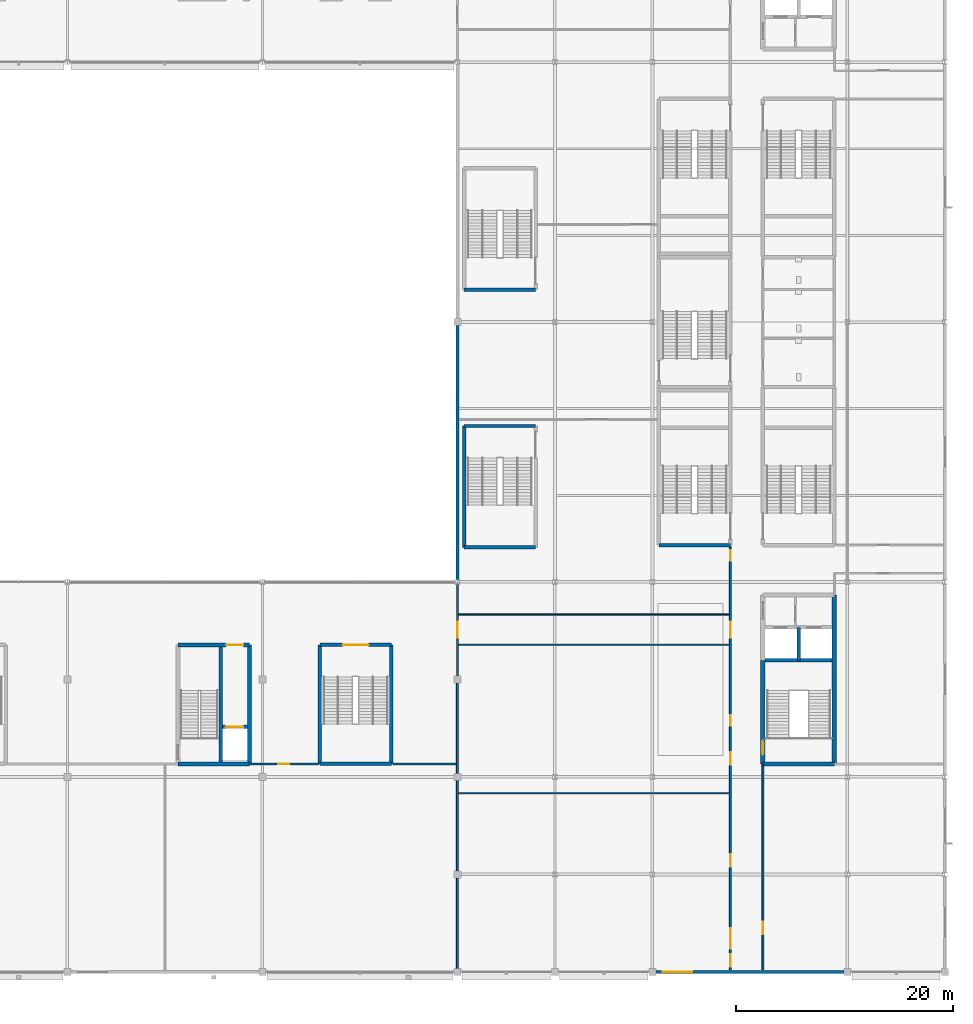
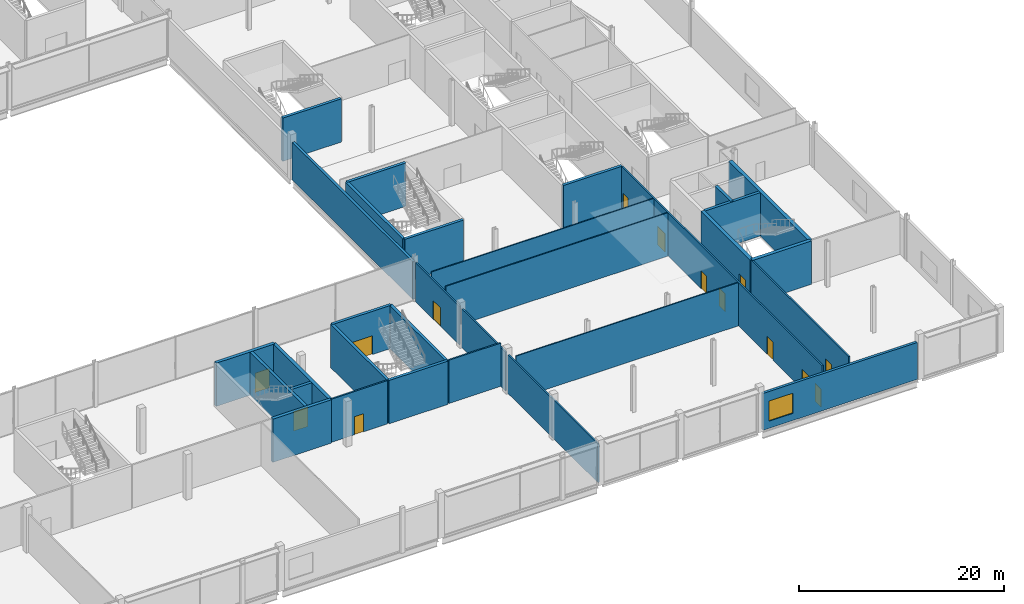
# One storey, part 64 of 111: 31 walls, 14 doors, 1 window, 15 openings.
"""IFC4 building model written with IfcOpenShell, lengths in metres."""

from ifc_helpers import new_model, si_unit, direction, frame, frame_2d, origin, place, context, subcontext, project, spatial, rectangle, extrude, material, layer, layer_set, type_object, element, fill, save


model = new_model("IFC4")

# Units and contexts
model_context = context("Model", 3, precision=1e-05, world=origin(), true_north=direction((0.0, 1.0)))
body_context = subcontext(model_context, "Body", "Model", "MODEL_VIEW")
ifc_project = project(units=[si_unit("LENGTHUNIT", "METRE"), si_unit("AREAUNIT", "SQUARE_METRE"), si_unit("VOLUMEUNIT", "CUBIC_METRE"), si_unit("PLANEANGLEUNIT", "RADIAN"), si_unit("MASSUNIT", "GRAM", prefix="KILO")], contexts=[model_context])

# Site, building, storey
site_placement = place(None, origin())
site = spatial("IfcSite", under=ifc_project, at=site_placement, CompositionType="ELEMENT")
building_placement = place(site_placement, origin())
building = spatial("IfcBuilding", under=site, at=building_placement, Name="Kisiwana Market Hall", CompositionType="ELEMENT")
storey_placement = place(building_placement, frame((0.0, 0.0, 11.39990234375)))
storey = spatial("IfcBuildingStorey", under=building, at=storey_placement, Name="L02", CompositionType="ELEMENT", Elevation=11.39990234375)

# Walls
ifc_material_1 = material(Name="Concrete C40/50", Category="concrete")
ifc_layer_1 = layer(ifc_material_1, 0.320068359375, Name="Reinforced concrete shaft wall")
ifc_layer_set_1 = layer_set([ifc_layer_1], Name="WL-CORE-320")
wall_type_1 = type_object("IfcWallType", Name="WL-CORE-320", PredefinedType="SHEAR", material=ifc_layer_set_1)
wall_1_placement = place(storey_placement, frame((181.39990234375, 28.760009765625, 0.0), z_axis=(0.0, 0.0, 1.0), x_axis=(1.0, 0.0, 0.0)))
element("IfcWall", 1, at=wall_1_placement, inside=storey, type_object=wall_type_1, Name="Core E2 shaft back shear wall W-0941", PredefinedType="SHEAR", context=body_context, shape_type="SweptSolid", body=[
    extrude(rectangle(XDim=6.2001953125, YDim=0.320068359375, at=frame_2d((3.10009765625, 0.0))), origin(), (0.0, 0.0, 1.0), 5.150146484375),
])
wall_2_placement = place(storey_placement, frame((184.5, 28.760009765625, 0.0), z_axis=(0.0, 0.0, 1.0), x_axis=(0.0, 1.0, 0.0)))
element("IfcWall", 2, at=wall_2_placement, inside=storey, type_object=wall_type_1, Name="Core E2 inter-shaft shear wall W-0942", PredefinedType="SHEAR", context=body_context, shape_type="SweptSolid", body=[
    extrude(rectangle(XDim=3.06005859375, YDim=0.320068359375, at=frame_2d((1.530029296875, 0.0))), origin(), (0.0, 0.0, 1.0), 5.150146484375),
])
wall_3_placement = place(storey_placement, frame((131.139892578125, 19.3798828125, 0.0), z_axis=(0.0, 0.0, 1.0), x_axis=(0.0, 1.0, 0.0)))
element("IfcWall", 3, at=wall_3_placement, inside=storey, type_object=wall_type_1, Name="Core S2 shaft divider W-0963", PredefinedType="SHEAR", context=body_context, shape_type="SweptSolid", body=[
    extrude(rectangle(XDim=10.64013671875, YDim=0.320068359375, at=frame_2d((5.320068359375, 0.0))), origin(), (0.0, 0.0, 1.0), 5.150146484375),
])

# Wall, opening, door
wall_4_placement = place(storey_placement, frame((131.300048828125, 22.6298828125, 0.0), z_axis=(0.0, 0.0, 1.0), x_axis=(1.0, 0.0, 0.0)))
wall_4 = element("IfcWall", 4, at=wall_4_placement, inside=storey, type_object=wall_type_1, Name="Core S2 goods lift front wall W-0964", PredefinedType="SHEAR", context=body_context, shape_type="SweptSolid", body=[
    extrude(rectangle(XDim=2.320068359375, YDim=0.320068359375, at=frame_2d((1.16015625, 0.0))), origin(), (0.0, 0.0, 1.0), 5.150146484375),
])
opening_1_placement = place(wall_4_placement, frame((0.300048828125, 0.0, 0.0)))
opening_1 = element("IfcOpeningElement", 5, at=opening_1_placement, cuts=wall_4, Name="Opening LD-L02-009", PredefinedType="OPENING", context=body_context, shape_type="SweptSolid", body=[
    extrude(rectangle(XDim=1.64990234375, YDim=2.35009765625, at=frame_2d((0.824951171875, 1.175048828125))), frame((0.0, 0.171875, 0.0), z_axis=(0.0, -1.0, 0.0), x_axis=(1.0, 0.0, 0.0)), (0.0, 0.0, 1.0), 0.343994140625),
])
ifc_material_2 = material(Name="Steel S275", Category="steel")
door_type_1 = type_object("IfcDoorType", Name="DR-LIFT-GDS-1650", OperationType="DOUBLE_DOOR_SLIDING", PredefinedType="DOOR", material=ifc_material_2)
door_1_placement = place(opening_1_placement, origin())
door_1 = element("IfcDoor", 6, at=door_1_placement, inside=storey, type_object=door_type_1, Name="Lift Landing Door LG-01 (L02)", OperationType="DOUBLE_DOOR_SLIDING", OverallHeight=2.35009765625, OverallWidth=1.64990234375, PredefinedType="DOOR", context=body_context, shape_type="SweptSolid", body=[
    extrude(rectangle(XDim=1.64990234375, YDim=2.35009765625, at=frame_2d((0.824951171875, 1.175048828125))), frame((0.0, 0.02490234375, 0.0), z_axis=(0.0, -1.0, 0.0), x_axis=(1.0, 0.0, 0.0)), (0.0, 0.0, 1.0), 0.050048828125),
])
fill(opening_1, door_1)

# Walls
wall_5_placement = place(storey_placement, frame((171.60009765625, 39.39990234375, 0.0), z_axis=(0.0, 0.0, 1.0), x_axis=(1.0, 0.0, 0.0)))
element("IfcWall", 7, at=wall_5_placement, inside=storey, type_object=wall_type_1, Name="Core E7 south shear wall W-1001", PredefinedType="SHEAR", context=body_context, shape_type="SweptSolid", body=[
    extrude(rectangle(XDim=6.599853515625, YDim=0.320068359375, at=frame_2d((3.2998046875, 0.0))), origin(), (0.0, 0.0, 1.0), 5.150146484375),
])
for number, where, z_axis, x_axis, name in (
    (8, (153.6298828125, 39.199951171875, 0.0), (0.0, 0.0, 1.0), (1.0, 0.0, 0.0), "Core E9 south shear wall W-1020"),
    (9, (153.6298828125, 50.39990234375, 0.0), (0.0, 0.0, 1.0), (1.0, 0.0, 0.0), "Core E9 north shear wall W-1021"),
):
    element("IfcWall", number, at=place(storey_placement, frame(where, z_axis=z_axis, x_axis=x_axis)), inside=storey, type_object=wall_type_1, Name=name, PredefinedType="SHEAR", context=body_context, shape_type="SweptSolid", body=[
        extrude(rectangle(XDim=6.60009765625, YDim=0.320068359375, at=frame_2d((3.300048828125, 0.0))), origin(), (0.0, 0.0, 1.0), 5.150146484375),
    ])
wall_6_placement = place(storey_placement, frame((153.6298828125, 39.199951171875, 0.0), z_axis=(0.0, 0.0, 1.0), x_axis=(0.0, 1.0, 0.0)))
element("IfcWall", 10, at=wall_6_placement, inside=storey, type_object=wall_type_1, Name="Core E9 outer shear wall W-1022", PredefinedType="SHEAR", context=body_context, shape_type="SweptSolid", body=[
    extrude(rectangle(XDim=11.199951171875, YDim=0.320068359375, at=frame_2d((5.60009765625, 0.0))), origin(), (0.0, 0.0, 1.0), 5.150146484375),
])
wall_7_placement = place(storey_placement, frame((153.6298828125, 63.0, 0.0), z_axis=(0.0, 0.0, 1.0), x_axis=(1.0, 0.0, 0.0)))
element("IfcWall", 11, at=wall_7_placement, inside=storey, type_object=wall_type_1, Name="Core E10 south shear wall W-1028", PredefinedType="SHEAR", context=body_context, shape_type="SweptSolid", body=[
    extrude(rectangle(XDim=6.60009765625, YDim=0.320068359375, at=frame_2d((3.300048828125, 0.0))), origin(), (0.0, 0.0, 1.0), 5.150146484375),
])
wall_8_placement = place(storey_placement, frame((140.300048828125, 19.199951171875, 0.0), z_axis=(0.0, 0.0, 1.0), x_axis=(1.0, 0.0, 0.0)))
element("IfcWall", 12, at=wall_8_placement, inside=storey, type_object=wall_type_1, Name="Core S6 outer shear wall W-1064", PredefinedType="SHEAR", context=body_context, shape_type="SweptSolid", body=[
    extrude(rectangle(XDim=6.599853515625, YDim=0.320068359375, at=frame_2d((3.2998046875, 0.0))), origin(), (0.0, 0.0, 1.0), 5.150146484375),
])

# Wall, opening, door
wall_9_placement = place(storey_placement, frame((140.300048828125, 30.199951171875, 0.0), z_axis=(0.0, 0.0, 1.0), x_axis=(1.0, 0.0, 0.0)))
wall_9 = element("IfcWall", 13, at=wall_9_placement, inside=storey, type_object=wall_type_1, Name="Core S6 corridor shear wall W-1065", PredefinedType="SHEAR", context=body_context, shape_type="SweptSolid", body=[
    extrude(rectangle(XDim=6.599853515625, YDim=0.320068359375, at=frame_2d((3.2998046875, 0.0))), origin(), (0.0, 0.0, 1.0), 5.150146484375),
])
opening_2_placement = place(wall_9_placement, frame((2.10009765625, 0.0, 0.0)))
opening_2 = element("IfcOpeningElement", 14, at=opening_2_placement, cuts=wall_9, Name="Opening DR-L02-041", PredefinedType="OPENING", context=body_context, shape_type="SweptSolid", body=[
    extrude(rectangle(XDim=2.39990234375, YDim=2.25, at=frame_2d((1.199951171875, 1.125))), frame((0.0, 0.171875, 0.0), z_axis=(0.0, -1.0, 0.0), x_axis=(1.0, 0.0, 0.0)), (0.0, 0.0, 1.0), 0.343994140625),
])
ifc_material_3 = material(Name="Steel S275", Category="steel")
door_type_2 = type_object("IfcDoorType", Name="DR-STAIR-FD120-2400", OperationType="DOUBLE_DOOR_SINGLE_SWING", PredefinedType="DOOR", material=ifc_material_3)
door_2_placement = place(opening_2_placement, frame((2.39990234375, 0.0, 0.0), z_axis=(0.0, 0.0, 1.0), x_axis=(-1.0, 0.0, 0.0)))
door_2 = element("IfcDoor", 15, at=door_2_placement, inside=storey, type_object=door_type_2, Name="Escape Stair S6 Fire Door (L02)", OperationType="DOUBLE_DOOR_SINGLE_SWING", OverallHeight=2.25, OverallWidth=2.39990234375, PredefinedType="DOOR", context=body_context, shape_type="SweptSolid", body=[
    extrude(rectangle(XDim=2.39990234375, YDim=2.25, at=frame_2d((1.199951171875, 1.125))), frame((0.0, 0.02490234375, 0.0), z_axis=(0.0, -1.0, 0.0), x_axis=(1.0, 0.0, 0.0)), (0.0, 0.0, 1.0), 0.050048828125),
])
fill(opening_2, door_2)

# Walls
for number, where, z_axis, x_axis, name in (
    (16, (140.300048828125, 19.199951171875, 0.0), (0.0, 0.0, 1.0), (0.0, 1.0, 0.0), "Core S6 west shear wall W-1066"),
    (17, (146.89990234375, 19.199951171875, 0.0), (0.0, 0.0, 1.0), (0.0, 1.0, 0.0), "Core S6 east shear wall W-1067"),
):
    element("IfcWall", number, at=place(storey_placement, frame(where, z_axis=z_axis, x_axis=x_axis)), inside=storey, type_object=wall_type_1, Name=name, PredefinedType="SHEAR", context=body_context, shape_type="SweptSolid", body=[
        extrude(rectangle(XDim=11.0, YDim=0.320068359375, at=frame_2d((5.5, 0.0))), origin(), (0.0, 0.0, 1.0), 5.150146484375),
    ])
ifc_material_4 = material(Name="Concrete C40/50", Category="concrete")
ifc_layer_2 = layer(ifc_material_4, 0.360107421875, Name="Reinforced concrete core wall")
ifc_layer_set_2 = layer_set([ifc_layer_2], Name="WL-CORE-360")
wall_type_2 = type_object("IfcWallType", Name="WL-CORE-360", PredefinedType="SHEAR", material=ifc_layer_set_2)
wall_10_placement = place(storey_placement, frame((127.199951171875, 19.199951171875, 0.0), z_axis=(0.0, 0.0, 1.0), x_axis=(1.0, 0.0, 0.0)))
element("IfcWall", 18, at=wall_10_placement, inside=storey, type_object=wall_type_2, Name="Core S2 south wall W-0959", PredefinedType="SHEAR", context=body_context, shape_type="SweptSolid", body=[
    extrude(rectangle(XDim=6.60009765625, YDim=0.360107421875, at=frame_2d((3.300048828125, 0.0))), origin(), (0.0, 0.0, 1.0), 5.150146484375),
])

# Wall, opening, door
wall_11_placement = place(storey_placement, frame((127.199951171875, 30.199951171875, 0.0), z_axis=(0.0, 0.0, 1.0), x_axis=(1.0, 0.0, 0.0)))
wall_11 = element("IfcWall", 19, at=wall_11_placement, inside=storey, type_object=wall_type_2, Name="Core S2 north wall W-0960", PredefinedType="SHEAR", context=body_context, shape_type="SweptSolid", body=[
    extrude(rectangle(XDim=6.60009765625, YDim=0.360107421875, at=frame_2d((3.300048828125, 0.0))), origin(), (0.0, 0.0, 1.0), 5.150146484375),
])
opening_3_placement = place(wall_11_placement, frame((4.449951171875, 0.0, 0.0)))
opening_3 = element("IfcOpeningElement", 20, at=opening_3_placement, cuts=wall_11, Name="Opening DR-L02-015", PredefinedType="OPENING", context=body_context, shape_type="SweptSolid", body=[
    extrude(rectangle(XDim=1.60009765625, YDim=2.300048828125, at=frame_2d((0.800048828125, 1.14990234375))), frame((0.0, 0.19189453125, 0.0), z_axis=(0.0, -1.0, 0.0), x_axis=(1.0, 0.0, 0.0)), (0.0, 0.0, 1.0), 0.384033203125),
])
ifc_material_5 = material(Name="Steel S275", Category="steel")
door_type_3 = type_object("IfcDoorType", Name="DR-PLANT-FD120-1600", OperationType="DOUBLE_DOOR_SINGLE_SWING", PredefinedType="DOOR", material=ifc_material_5)
door_3_placement = place(opening_3_placement, origin())
door_3 = element("IfcDoor", 21, at=door_3_placement, inside=storey, type_object=door_type_3, Name="Goods Lift Lobby S2 Door (L02)", OperationType="DOUBLE_DOOR_SINGLE_SWING", OverallHeight=2.300048828125, OverallWidth=1.60009765625, PredefinedType="DOOR", context=body_context, shape_type="SweptSolid", body=[
    extrude(rectangle(XDim=1.60009765625, YDim=2.300048828125, at=frame_2d((0.800048828125, 1.14990234375))), frame((0.0, 0.02490234375, 0.0), z_axis=(0.0, -1.0, 0.0), x_axis=(1.0, 0.0, 0.0)), (0.0, 0.0, 1.0), 0.050048828125),
])
fill(opening_3, door_3)

# Walls
wall_12_placement = place(storey_placement, frame((133.800048828125, 19.199951171875, 0.0), z_axis=(0.0, 0.0, 1.0), x_axis=(0.0, 1.0, 0.0)))
element("IfcWall", 22, at=wall_12_placement, inside=storey, type_object=wall_type_2, Name="Core S2 east wall W-0962", PredefinedType="SHEAR", context=body_context, shape_type="SweptSolid", body=[
    extrude(rectangle(XDim=11.0, YDim=0.360107421875, at=frame_2d((5.5, 0.0))), origin(), (0.0, 0.0, 1.0), 5.150146484375),
])
ifc_material_6 = material(Name="Concrete C40/50", Category="concrete")
ifc_layer_3 = layer(ifc_material_6, 0.39990234375, Name="Reinforced concrete core wall")
ifc_layer_set_3 = layer_set([ifc_layer_3], Name="WL-CORE-400")
wall_type_3 = type_object("IfcWallType", Name="WL-CORE-400", PredefinedType="SHEAR", material=ifc_layer_set_3)
wall_13_placement = place(storey_placement, frame((181.199951171875, 19.199951171875, 0.0), z_axis=(0.0, 0.0, 1.0), x_axis=(1.0, 0.0, 0.0)))
element("IfcWall", 23, at=wall_13_placement, inside=storey, type_object=wall_type_3, Name="Core E2 south shear wall W-0936", PredefinedType="SHEAR", context=body_context, shape_type="SweptSolid", body=[
    extrude(rectangle(XDim=6.60009765625, YDim=0.39990234375, at=frame_2d((3.300048828125, 0.0))), origin(), (0.0, 0.0, 1.0), 5.150146484375),
])
wall_14_placement = place(storey_placement, frame((187.800048828125, 19.199951171875, 0.0), z_axis=(0.0, 0.0, 1.0), x_axis=(0.0, 1.0, 0.0)))
element("IfcWall", 24, at=wall_14_placement, inside=storey, type_object=wall_type_3, Name="Core E2 outer shear wall W-0938", PredefinedType="SHEAR", context=body_context, shape_type="SweptSolid", body=[
    extrude(rectangle(XDim=15.60009765625, YDim=0.39990234375, at=frame_2d((7.800048828125, 0.0))), origin(), (0.0, 0.0, 1.0), 5.150146484375),
])

# Wall, opening, door
wall_15_placement = place(storey_placement, frame((181.199951171875, 19.199951171875, 0.0), z_axis=(0.0, 0.0, 1.0), x_axis=(0.0, 1.0, 0.0)))
wall_15 = element("IfcWall", 25, at=wall_15_placement, inside=storey, type_object=wall_type_3, Name="Core E2 stair corridor shear wall W-0939", PredefinedType="SHEAR", context=body_context, shape_type="SweptSolid", body=[
    extrude(rectangle(XDim=9.56005859375, YDim=0.39990234375, at=frame_2d((4.780029296875, 0.0))), origin(), (0.0, 0.0, 1.0), 5.150146484375),
])
opening_4_placement = place(wall_15_placement, frame((0.85009765625, 0.0, 0.0)))
opening_4 = element("IfcOpeningElement", 26, at=opening_4_placement, cuts=wall_15, Name="Opening DR-L02-007", PredefinedType="OPENING", context=body_context, shape_type="SweptSolid", body=[
    extrude(rectangle(XDim=1.300048828125, YDim=2.199951171875, at=frame_2d((0.64990234375, 1.10009765625))), frame((0.0, 0.2119140625, 0.0), z_axis=(0.0, -1.0, 0.0), x_axis=(1.0, 0.0, 0.0)), (0.0, 0.0, 1.0), 0.423828125),
])
ifc_material_7 = material(Name="Steel S275", Category="steel")
door_type_4 = type_object("IfcDoorType", Name="DR-STAIR-FD120-1300", OperationType="NOTDEFINED", PredefinedType="DOOR", material=ifc_material_7)
door_4_placement = place(opening_4_placement, frame((1.300048828125, 0.0, 0.0), z_axis=(0.0, 0.0, 1.0), x_axis=(-1.0, 0.0, 0.0)))
door_4 = element("IfcDoor", 27, at=door_4_placement, inside=storey, type_object=door_type_4, Name="Escape Stair E2 Fire Door (L02)", OperationType="SINGLE_SWING_RIGHT", OverallHeight=2.199951171875, OverallWidth=1.300048828125, PredefinedType="DOOR", context=body_context, shape_type="SweptSolid", body=[
    extrude(rectangle(XDim=1.300048828125, YDim=2.199951171875, at=frame_2d((0.64990234375, 1.10009765625))), frame((0.0, 0.02490234375, 0.0), z_axis=(0.0, -1.0, 0.0), x_axis=(1.0, 0.0, 0.0)), (0.0, 0.0, 1.0), 0.050048828125),
])
fill(opening_4, door_4)

ifc_material_8 = material(Name="Masonry blockwork", Category="masonry")
ifc_layer_4 = layer(ifc_material_8, 0.169921875, Name="Protected corridor partition")
ifc_layer_set_4 = layer_set([ifc_layer_4], Name="WL-CORR-170")
wall_type_4 = type_object("IfcWallType", Name="WL-CORR-170", PredefinedType="PARTITIONING", material=ifc_layer_set_4)
wall_16_placement = place(storey_placement, frame((181.199951171875, 0.1826171875, 0.0), z_axis=(0.0, 0.0, 1.0), x_axis=(0.0, 1.0, 0.0)))
wall_16 = element("IfcWall", 28, at=wall_16_placement, inside=storey, type_object=wall_type_4, Name="Interior partition W-1146", PredefinedType="PARTITIONING", context=body_context, shape_type="SweptSolid", body=[
    extrude(rectangle(XDim=19.017333984375, YDim=0.169921875, at=frame_2d((9.5087890625, 0.0))), origin(), (0.0, 0.0, 1.0), 5.150146484375),
])
opening_5_placement = place(wall_16_placement, frame((3.300048828125, 0.0, 0.0)))
opening_5 = element("IfcOpeningElement", 29, at=opening_5_placement, cuts=wall_16, Name="Opening DR-L02-071", PredefinedType="OPENING", context=body_context, shape_type="SweptSolid", body=[
    extrude(rectangle(XDim=1.14990234375, YDim=2.14990234375, at=frame_2d((0.574951171875, 1.074951171875))), frame((0.0, 0.096923828125, 0.0), z_axis=(0.0, -1.0, 0.0), x_axis=(1.0, 0.0, 0.0)), (0.0, 0.0, 1.0), 0.19384765625),
])
ifc_material_9 = material(Name="Aluminium alloy 6063-T6", Category="aluminium")
door_type_5 = type_object("IfcDoorType", Name="DR-MEET-1150", OperationType="NOTDEFINED", PredefinedType="DOOR", material=ifc_material_9)
door_5_placement = place(opening_5_placement, frame((1.14990234375, 0.0, 0.0), z_axis=(0.0, 0.0, 1.0), x_axis=(-1.0, 0.0, 0.0)))
door_5 = element("IfcDoor", 30, at=door_5_placement, inside=storey, type_object=door_type_5, Name="L02 E Corner Office Suite South Door", OperationType="SINGLE_SWING_RIGHT", OverallHeight=2.14990234375, OverallWidth=1.14990234375, PredefinedType="DOOR", context=body_context, shape_type="SweptSolid", body=[
    extrude(rectangle(XDim=1.14990234375, YDim=2.14990234375, at=frame_2d((0.574951171875, 1.074951171875))), frame((0.0, 0.02490234375, 0.0), z_axis=(0.0, -1.0, 0.0), x_axis=(1.0, 0.0, 0.0)), (0.0, 0.0, 1.0), 0.050048828125),
])
fill(opening_5, door_5)

# Wall, openings, doors
wall_17_placement = place(storey_placement, frame((178.199951171875, 0.1826171875, 0.0), z_axis=(0.0, 0.0, 1.0), x_axis=(0.0, 1.0, 0.0)))
wall_17 = element("IfcWall", 31, at=wall_17_placement, inside=storey, type_object=wall_type_4, Name="Interior partition W-1156", PredefinedType="PARTITIONING", context=body_context, shape_type="SweptSolid", body=[
    extrude(rectangle(XDim=39.057373046875, YDim=0.169921875, at=frame_2d((19.52880859375, 0.0))), origin(), (0.0, 0.0, 1.0), 5.150146484375),
])
opening_6_placement = place(wall_17_placement, frame((9.527099609375, 0.0, 0.0)))
opening_6 = element("IfcOpeningElement", 32, at=opening_6_placement, cuts=wall_17, Name="Opening DR-L02-075", PredefinedType="OPENING", context=body_context, shape_type="SweptSolid", body=[
    extrude(rectangle(XDim=1.14990234375, YDim=2.14990234375, at=frame_2d((0.574951171875, 1.074951171875))), frame((0.0, 0.096923828125, 0.0), z_axis=(0.0, -1.0, 0.0), x_axis=(1.0, 0.0, 0.0)), (0.0, 0.0, 1.0), 0.19384765625),
])
opening_7_placement = place(wall_17_placement, frame((22.527099609375, 0.0, 0.0)))
opening_7 = element("IfcOpeningElement", 33, at=opening_7_placement, cuts=wall_17, Name="Opening DR-L02-076", PredefinedType="OPENING", context=body_context, shape_type="SweptSolid", body=[
    extrude(rectangle(XDim=1.0, YDim=2.14990234375, at=frame_2d((0.5, 1.074951171875))), frame((0.0, 0.096923828125, 0.0), z_axis=(0.0, -1.0, 0.0), x_axis=(1.0, 0.0, 0.0)), (0.0, 0.0, 1.0), 0.19384765625),
])
opening_8_placement = place(wall_17_placement, frame((30.66796875, 0.0, 0.0)))
opening_8 = element("IfcOpeningElement", 34, at=opening_8_placement, cuts=wall_17, Name="Opening DR-L02-077", PredefinedType="OPENING", context=body_context, shape_type="SweptSolid", body=[
    extrude(rectangle(XDim=1.5, YDim=2.199951171875, at=frame_2d((0.75, 1.10009765625))), frame((0.0, 0.096923828125, 0.0), z_axis=(0.0, -1.0, 0.0), x_axis=(1.0, 0.0, 0.0)), (0.0, 0.0, 1.0), 0.19384765625),
])
opening_9_placement = place(wall_17_placement, frame((18.9541015625, 0.0, 0.0)))
opening_9 = element("IfcOpeningElement", 35, at=opening_9_placement, cuts=wall_17, Name="Opening DR-L02-078", PredefinedType="OPENING", context=body_context, shape_type="SweptSolid", body=[
    extrude(rectangle(XDim=1.14990234375, YDim=2.14990234375, at=frame_2d((0.574951171875, 1.074951171875))), frame((0.0, 0.096923828125, 0.0), z_axis=(0.0, -1.0, 0.0), x_axis=(1.0, 0.0, 0.0)), (0.0, 0.0, 1.0), 0.19384765625),
])
opening_10_placement = place(wall_17_placement, frame((0.300048828125, 0.0, 0.0)))
opening_10 = element("IfcOpeningElement", 36, at=opening_10_placement, cuts=wall_17, Name="Opening DR-L02-079", PredefinedType="OPENING", context=body_context, shape_type="SweptSolid", body=[
    extrude(rectangle(XDim=1.14990234375, YDim=2.14990234375, at=frame_2d((0.574951171875, 1.074951171875))), frame((0.0, 0.096923828125, 0.0), z_axis=(0.0, -1.0, 0.0), x_axis=(1.0, 0.0, 0.0)), (0.0, 0.0, 1.0), 0.19384765625),
])
opening_11_placement = place(wall_17_placement, frame((37.758056640625, 0.0, 0.0)))
opening_11 = element("IfcOpeningElement", 37, at=opening_11_placement, cuts=wall_17, Name="Opening DR-L02-080", PredefinedType="OPENING", context=body_context, shape_type="SweptSolid", body=[
    extrude(rectangle(XDim=1.0, YDim=2.14990234375, at=frame_2d((0.5, 1.074951171875))), frame((0.0, 0.096923828125, 0.0), z_axis=(0.0, -1.0, 0.0), x_axis=(1.0, 0.0, 0.0)), (0.0, 0.0, 1.0), 0.19384765625),
])
opening_12_placement = place(wall_17_placement, frame((1.949951171875, 0.0, 0.0)))
opening_12 = element("IfcOpeningElement", 38, at=opening_12_placement, cuts=wall_17, Name="Opening DR-L02-081", PredefinedType="OPENING", context=body_context, shape_type="SweptSolid", body=[
    extrude(rectangle(XDim=1.89990234375, YDim=2.35009765625, at=frame_2d((0.949951171875, 1.175048828125))), frame((0.0, 0.096923828125, 0.0), z_axis=(0.0, -1.0, 0.0), x_axis=(1.0, 0.0, 0.0)), (0.0, 0.0, 1.0), 0.19384765625),
])
ifc_material_10 = material(Name="Steel S275", Category="steel")
door_type_6 = type_object("IfcDoorType", Name="DR-CORR-FD60-1500", OperationType="DOUBLE_DOOR_SINGLE_SWING", PredefinedType="DOOR", material=ifc_material_10)
door_6_placement = place(opening_8_placement, origin())
door_6 = element("IfcDoor", 39, at=door_6_placement, inside=storey, type_object=door_type_6, Name="L02 E South Guild Link Corridor Door", OperationType="DOUBLE_DOOR_SINGLE_SWING", OverallHeight=2.199951171875, OverallWidth=1.5, PredefinedType="DOOR", context=body_context, shape_type="SweptSolid", body=[
    extrude(rectangle(XDim=1.5, YDim=2.199951171875, at=frame_2d((0.75, 1.10009765625))), frame((0.0, 0.02490234375, 0.0), z_axis=(0.0, -1.0, 0.0), x_axis=(1.0, 0.0, 0.0)), (0.0, 0.0, 1.0), 0.050048828125),
])
fill(opening_8, door_6)
ifc_material_11 = material(Name="Steel S275", Category="steel")
door_type_7 = type_object("IfcDoorType", Name="DR-HALL-1900", OperationType="DOUBLE_DOOR_SINGLE_SWING", PredefinedType="DOOR", material=ifc_material_11)
door_7_placement = place(opening_12_placement, origin())
door_7 = element("IfcDoor", 40, at=door_7_placement, inside=storey, type_object=door_type_7, Name="L02 E Spice Guild Chamber Exit Door", OperationType="DOUBLE_DOOR_SINGLE_SWING", OverallHeight=2.35009765625, OverallWidth=1.89990234375, PredefinedType="DOOR", context=body_context, shape_type="SweptSolid", body=[
    extrude(rectangle(XDim=1.89990234375, YDim=2.35009765625, at=frame_2d((0.949951171875, 1.175048828125))), frame((0.0, 0.02490234375, 0.0), z_axis=(0.0, -1.0, 0.0), x_axis=(1.0, 0.0, 0.0)), (0.0, 0.0, 1.0), 0.050048828125),
])
fill(opening_12, door_7)
door_8_placement = place(opening_6_placement, origin())
door_8 = element("IfcDoor", 41, at=door_8_placement, inside=storey, type_object=door_type_5, Name="L02 E Spice Guild Chamber Door", OperationType="SINGLE_SWING_LEFT", OverallHeight=2.14990234375, OverallWidth=1.14990234375, PredefinedType="DOOR", context=body_context, shape_type="SweptSolid", body=[
    extrude(rectangle(XDim=1.14990234375, YDim=2.14990234375, at=frame_2d((0.574951171875, 1.074951171875))), frame((0.0, 0.02490234375, 0.0), z_axis=(0.0, -1.0, 0.0), x_axis=(1.0, 0.0, 0.0)), (0.0, 0.0, 1.0), 0.050048828125),
])
fill(opening_6, door_8)
door_9_placement = place(opening_9_placement, origin())
door_9 = element("IfcDoor", 42, at=door_9_placement, inside=storey, type_object=door_type_5, Name="L02 E Food Safety Laboratory Door", OperationType="SINGLE_SWING_RIGHT", OverallHeight=2.14990234375, OverallWidth=1.14990234375, PredefinedType="DOOR", context=body_context, shape_type="SweptSolid", body=[
    extrude(rectangle(XDim=1.14990234375, YDim=2.14990234375, at=frame_2d((0.574951171875, 1.074951171875))), frame((0.0, 0.02490234375, 0.0), z_axis=(0.0, -1.0, 0.0), x_axis=(1.0, 0.0, 0.0)), (0.0, 0.0, 1.0), 0.050048828125),
])
fill(opening_9, door_9)
door_10_placement = place(opening_10_placement, origin())
door_10 = element("IfcDoor", 43, at=door_10_placement, inside=storey, type_object=door_type_5, Name="L02 E Cooperative Boardroom Door", OperationType="SINGLE_SWING_LEFT", OverallHeight=2.14990234375, OverallWidth=1.14990234375, PredefinedType="DOOR", context=body_context, shape_type="SweptSolid", body=[
    extrude(rectangle(XDim=1.14990234375, YDim=2.14990234375, at=frame_2d((0.574951171875, 1.074951171875))), frame((0.0, 0.02490234375, 0.0), z_axis=(0.0, -1.0, 0.0), x_axis=(1.0, 0.0, 0.0)), (0.0, 0.0, 1.0), 0.050048828125),
])
fill(opening_10, door_10)
ifc_material_12 = material(Name="Aluminium alloy 6063-T6", Category="aluminium")
door_type_8 = type_object("IfcDoorType", Name="DR-OFF-1000", OperationType="NOTDEFINED", PredefinedType="DOOR", material=ifc_material_12)
door_11_placement = place(opening_7_placement, origin())
door_11 = element("IfcDoor", 44, at=door_11_placement, inside=storey, type_object=door_type_8, Name="L02 E Co-Working Studio South Door", OperationType="SINGLE_SWING_RIGHT", OverallHeight=2.14990234375, OverallWidth=1.0, PredefinedType="DOOR", context=body_context, shape_type="SweptSolid", body=[
    extrude(rectangle(XDim=1.0, YDim=2.14990234375, at=frame_2d((0.5, 1.074951171875))), frame((0.0, 0.02490234375, 0.0), z_axis=(0.0, -1.0, 0.0), x_axis=(1.0, 0.0, 0.0)), (0.0, 0.0, 1.0), 0.050048828125),
])
fill(opening_7, door_11)
door_12_placement = place(opening_11_placement, origin())
door_12 = element("IfcDoor", 45, at=door_12_placement, inside=storey, type_object=door_type_8, Name="L02 E Maritime Trade Guild Office Door", OperationType="SINGLE_SWING_RIGHT", OverallHeight=2.14990234375, OverallWidth=1.0, PredefinedType="DOOR", context=body_context, shape_type="SweptSolid", body=[
    extrude(rectangle(XDim=1.0, YDim=2.14990234375, at=frame_2d((0.5, 1.074951171875))), frame((0.0, 0.02490234375, 0.0), z_axis=(0.0, -1.0, 0.0), x_axis=(1.0, 0.0, 0.0)), (0.0, 0.0, 1.0), 0.050048828125),
])
fill(opening_11, door_12)

# Walls
wall_18_placement = place(storey_placement, frame((153.0, 0.219970703125, 0.0), z_axis=(0.0, 0.0, 1.0), x_axis=(0.0, 1.0, 0.0)))
element("IfcWall", 46, at=wall_18_placement, inside=storey, type_object=wall_type_4, Name="Interior partition W-1158", PredefinedType="PARTITIONING", context=body_context, shape_type="SweptSolid", body=[
    extrude(rectangle(XDim=17.56005859375, YDim=0.169921875, at=frame_2d((8.780029296875, 0.0))), origin(), (0.0, 0.0, 1.0), 4.60888671875),
])
wall_19_placement = place(storey_placement, frame((153.0, 18.219970703125, 0.0), z_axis=(0.0, 0.0, 1.0), x_axis=(0.0, 1.0, 0.0)))
element("IfcWall", 47, at=wall_19_placement, inside=storey, type_object=wall_type_4, Name="Interior partition W-1159", PredefinedType="PARTITIONING", context=body_context, shape_type="SweptSolid", body=[
    extrude(rectangle(XDim=8.56005859375, YDim=0.169921875, at=frame_2d((4.280029296875, 0.0))), origin(), (0.0, 0.0, 1.0), 4.616943359375),
])

# Wall, opening, door
wall_20_placement = place(storey_placement, frame((153.0, 27.219970703125, 0.0), z_axis=(0.0, 0.0, 1.0), x_axis=(0.0, 1.0, 0.0)))
wall_20 = element("IfcWall", 48, at=wall_20_placement, inside=storey, type_object=wall_type_4, Name="Interior partition W-1160", PredefinedType="PARTITIONING", context=body_context, shape_type="SweptSolid", body=[
    extrude(rectangle(XDim=8.56005859375, YDim=0.169921875, at=frame_2d((4.280029296875, 0.0))), origin(), (0.0, 0.0, 1.0), 4.616943359375),
])
opening_13_placement = place(wall_20_placement, frame((3.6298828125, 0.0, 0.0)))
opening_13 = element("IfcOpeningElement", 49, at=opening_13_placement, cuts=wall_20, Name="Opening DR-L02-085", PredefinedType="OPENING", context=body_context, shape_type="SweptSolid", body=[
    extrude(rectangle(XDim=1.5, YDim=2.199951171875, at=frame_2d((0.75, 1.10009765625))), frame((0.0, 0.096923828125, 0.0), z_axis=(0.0, -1.0, 0.0), x_axis=(1.0, 0.0, 0.0)), (0.0, 0.0, 1.0), 0.19384765625),
])
door_13_placement = place(opening_13_placement, origin())
door_13 = element("IfcDoor", 50, at=door_13_placement, inside=storey, type_object=door_type_6, Name="L02 E South Spine Link Door", OperationType="DOUBLE_DOOR_SINGLE_SWING", OverallHeight=2.199951171875, OverallWidth=1.5, PredefinedType="DOOR", context=body_context, shape_type="SweptSolid", body=[
    extrude(rectangle(XDim=1.5, YDim=2.199951171875, at=frame_2d((0.75, 1.10009765625))), frame((0.0, 0.02490234375, 0.0), z_axis=(0.0, -1.0, 0.0), x_axis=(1.0, 0.0, 0.0)), (0.0, 0.0, 1.0), 0.050048828125),
])
fill(opening_13, door_13)

wall_21_placement = place(storey_placement, frame((133.800048828125, 19.199951171875, 0.0), z_axis=(0.0, 0.0, 1.0), x_axis=(1.0, 0.0, 0.0)))
wall_21 = element("IfcWall", 51, at=wall_21_placement, inside=storey, type_object=wall_type_4, Name="Interior partition W-1175", PredefinedType="PARTITIONING", context=body_context, shape_type="SweptSolid", body=[
    extrude(rectangle(XDim=6.33984375, YDim=0.169921875, at=frame_2d((3.169921875, 0.0))), origin(), (0.0, 0.0, 1.0), 5.150146484375),
])
opening_14_placement = place(wall_21_placement, frame((2.669921875, 0.0, 0.0)))
opening_14 = element("IfcOpeningElement", 52, at=opening_14_placement, cuts=wall_21, Name="Opening DR-L02-091", PredefinedType="OPENING", context=body_context, shape_type="SweptSolid", body=[
    extrude(rectangle(XDim=1.0, YDim=2.14990234375, at=frame_2d((0.5, 1.074951171875))), frame((0.0, 0.096923828125, 0.0), z_axis=(0.0, -1.0, 0.0), x_axis=(1.0, 0.0, 0.0)), (0.0, 0.0, 1.0), 0.19384765625),
])
door_14_placement = place(opening_14_placement, origin())
door_14 = element("IfcDoor", 53, at=door_14_placement, inside=storey, type_object=door_type_8, Name="L02 Guild S4 Door", OperationType="SINGLE_SWING_LEFT", OverallHeight=2.14990234375, OverallWidth=1.0, PredefinedType="DOOR", context=body_context, shape_type="SweptSolid", body=[
    extrude(rectangle(XDim=1.0, YDim=2.14990234375, at=frame_2d((0.5, 1.074951171875))), frame((0.0, 0.02490234375, 0.0), z_axis=(0.0, -1.0, 0.0), x_axis=(1.0, 0.0, 0.0)), (0.0, 0.0, 1.0), 0.050048828125),
])
fill(opening_14, door_14)

# Wall
wall_22_placement = place(storey_placement, frame((147.06005859375, 19.199951171875, 0.0), z_axis=(0.0, 0.0, 1.0), x_axis=(1.0, 0.0, 0.0)))
element("IfcWall", 54, at=wall_22_placement, inside=storey, type_object=wall_type_4, Name="Interior partition W-1176", PredefinedType="PARTITIONING", context=body_context, shape_type="SweptSolid", body=[
    extrude(rectangle(XDim=5.85498046875, YDim=0.169921875, at=frame_2d((2.927490234375, 0.0))), origin(), (0.0, 0.0, 1.0), 5.150146484375),
])

# Wall, opening, window
ifc_material_13 = material(Name="Masonry blockwork", Category="masonry")
ifc_layer_5 = layer(ifc_material_13, 0.139892578125, Name="Rendered masonry outer leaf")
ifc_material_14 = material(Name="Mineral wool insulation")
ifc_layer_6 = layer(ifc_material_14, 0.074951171875, Name="Mineral wool cavity insulation")
ifc_material_15 = material(Name="Gypsum plasterboard")
ifc_layer_7 = layer(ifc_material_15, 0.074951171875, Name="Calcium silicate inner lining")
ifc_layer_set_5 = layer_set([ifc_layer_5, ifc_layer_6, ifc_layer_7], Name="WL-EXT-MAS-290")
wall_type_5 = type_object("IfcWallType", Name="WL-EXT-MAS-290", PredefinedType="STANDARD", material=ifc_layer_set_5)
wall_23_placement = place(storey_placement, frame((171.31689453125, 0.0, 0.0), z_axis=(0.0, 0.0, 1.0), x_axis=(1.0, 0.0, 0.0)))
wall_23 = element("IfcWall", 55, at=wall_23_placement, inside=storey, type_object=wall_type_5, Name="Exterior wall W-1075", PredefinedType="STANDARD", context=body_context, shape_type="SweptSolid", body=[
    extrude(rectangle(XDim=17.3662109375, YDim=0.2900390625, at=frame_2d((8.68310546875, 0.0))), origin(), (0.0, 0.0, 1.0), 4.387939453125),
])
opening_15_placement = place(wall_23_placement, frame((0.64990234375, 0.0, 0.85009765625)))
opening_15 = element("IfcOpeningElement", 56, at=opening_15_placement, cuts=wall_23, Name="Opening WN-10", PredefinedType="OPENING", context=body_context, shape_type="SweptSolid", body=[
    extrude(rectangle(XDim=2.699951171875, YDim=2.39990234375, at=frame_2d((1.35009765625, 1.199951171875))), frame((0.0, 0.156982421875, 0.0), z_axis=(0.0, -1.0, 0.0), x_axis=(1.0, 0.0, 0.0)), (0.0, 0.0, 1.0), 0.31396484375),
])
ifc_material_16 = material(Name="Double-glazed solar-control low-E IGU", Category="glass")
window_type = type_object("IfcWindowType", Name="WN-GLD-2700x2400", PartitioningType="SINGLE_PANEL", PredefinedType="WINDOW", material=ifc_material_16)
window_placement = place(opening_15_placement, origin())
window = element("IfcWindow", 57, at=window_placement, inside=storey, type_object=window_type, Name="Exterior window WN-032", OverallHeight=2.39990234375, OverallWidth=2.699951171875, PartitioningType="SINGLE_PANEL", PredefinedType="WINDOW", context=body_context, shape_type="SweptSolid", body=[
    extrude(rectangle(XDim=2.699951171875, YDim=2.39990234375, at=frame_2d((1.35009765625, 1.199951171875))), frame((0.0, 0.030029296875, 0.0), z_axis=(0.0, -1.0, 0.0), x_axis=(1.0, 0.0, 0.0)), (0.0, 0.0, 1.0), 0.06005859375),
])
fill(opening_15, window)

# Walls
wall_24_placement = place(storey_placement, frame((153.0, 36.198486328125, 0.0), z_axis=(0.0, 0.0, 1.0), x_axis=(0.0, 1.0, 0.0)))
element("IfcWall", 58, at=wall_24_placement, inside=storey, type_object=wall_type_5, Name="Exterior wall W-1090", PredefinedType="STANDARD", context=body_context, shape_type="SweptSolid", body=[
    extrude(rectangle(XDim=23.484619140625, YDim=0.2900390625, at=frame_2d((11.7421875, 0.0))), origin(), (0.0, 0.0, 1.0), 4.466552734375),
])
ifc_material_17 = material(Name="Gypsum plasterboard")
ifc_layer_8 = layer(ifc_material_17, 0.125, Name="Double gypsum board + acoustic stud")
ifc_layer_set_6 = layer_set([ifc_layer_8], Name="WL-OFF-125")
wall_type_6 = type_object("IfcWallType", Name="WL-OFF-125", PredefinedType="PARTITIONING", material=ifc_layer_set_6)
for number, where, z_axis, x_axis, name in (
    (59, (153.0849609375, 16.5, 0.0), (0.0, 0.0, 1.0), (1.0, 0.0, 0.0), "Interior partition W-1148"),
    (60, (153.0849609375, 30.199951171875, 0.0), (0.0, 0.0, 1.0), (1.0, 0.0, 0.0), "Interior partition W-1149"),
    (61, (153.0849609375, 33.0, 0.0), (0.0, 0.0, 1.0), (1.0, 0.0, 0.0), "Interior partition W-1150"),
):
    element("IfcWall", number, at=place(storey_placement, frame(where, z_axis=z_axis, x_axis=x_axis)), inside=storey, type_object=wall_type_6, Name=name, PredefinedType="PARTITIONING", context=body_context, shape_type="SweptSolid", body=[
        extrude(rectangle(XDim=25.030029296875, YDim=0.125, at=frame_2d((12.51513671875, 0.0))), origin(), (0.0, 0.0, 1.0), 5.150146484375),
    ])

save(model, "model.ifc")
